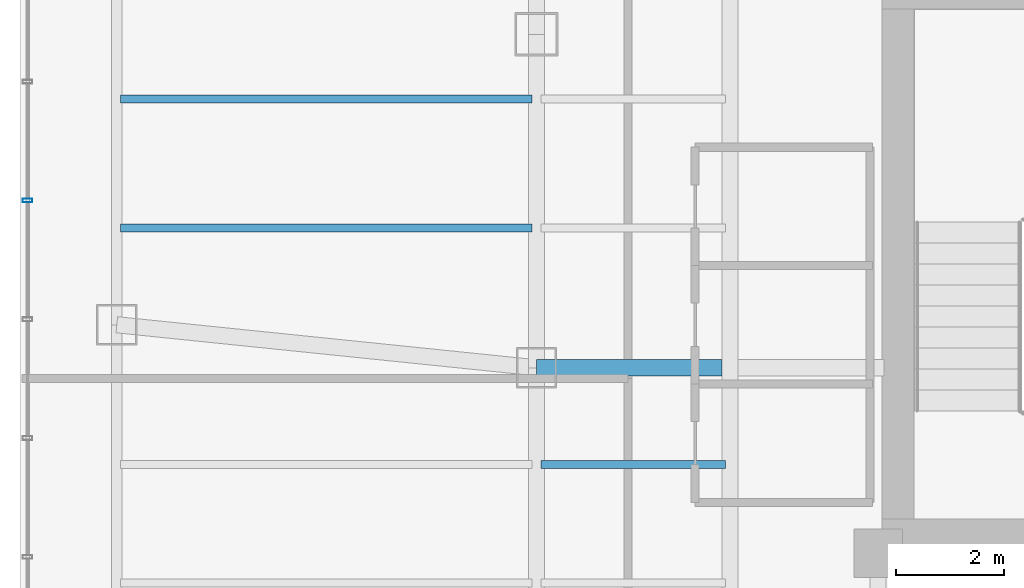
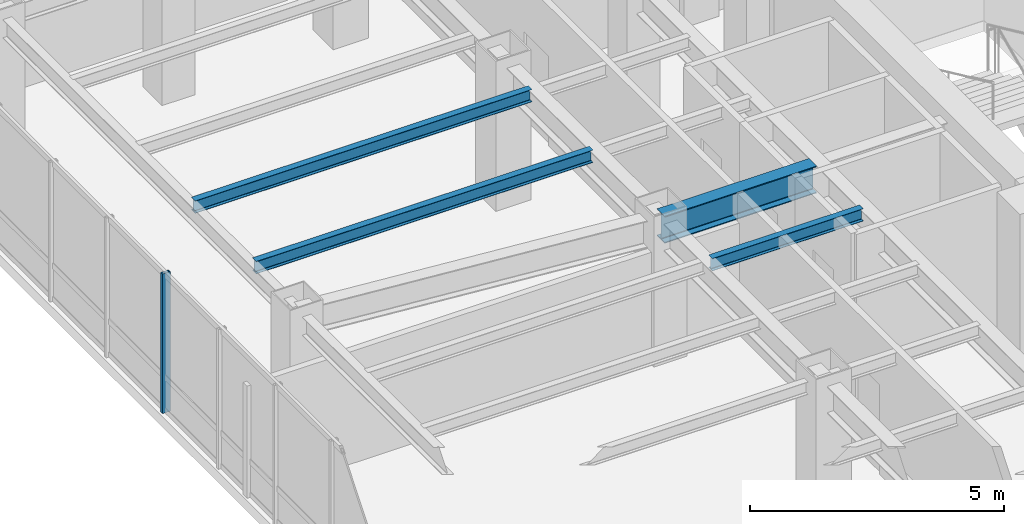
# One storey, part 8 of 27: 4 beams, 1 member, 1 element without a shape of its own.
"""IFC4 building model written with IfcOpenShell, lengths in metres."""

from ifc_helpers import new_model, si_unit, direction, frame, origin, origin_2d, place, context, subcontext, project, spatial, hollow_rectangle, i_section, extrude, material, layer, layer_set, material_profile, profile_set, type_object, element, aggregate, save


model = new_model("IFC4")

# Units and contexts
model_context = context("Model", 3, precision=1e-05, world=origin(), true_north=direction((0.0, 1.0)))
body_context = subcontext(model_context, "Body", "Model", "MODEL_VIEW")
ifc_project = project(units=[si_unit("LENGTHUNIT", "METRE"), si_unit("AREAUNIT", "SQUARE_METRE"), si_unit("VOLUMEUNIT", "CUBIC_METRE"), si_unit("PLANEANGLEUNIT", "RADIAN"), si_unit("MASSUNIT", "GRAM", prefix="KILO")], contexts=[model_context])

# Site, building, storey
site_placement = place(None, origin())
site = spatial("IfcSite", under=ifc_project, at=site_placement, CompositionType="ELEMENT")
building_placement = place(site_placement, origin())
building = spatial("IfcBuilding", under=site, at=building_placement, Name="Hatsunagi Terrace Concourse", CompositionType="ELEMENT")
storey_placement = place(building_placement, frame((0.0, 0.0, 174.449951171875)))
storey = spatial("IfcBuildingStorey", under=building, at=storey_placement, Name="L46", CompositionType="ELEMENT", Elevation=174.449951171875)

# Curtain wall, member
ifc_material_1 = material(Name="Anodised Aluminium Alloy 6063-T5", Category="aluminium")
ifc_layer = layer(ifc_material_1, 0.199951171875)
ifc_layer_set = layer_set([ifc_layer], Name="OfficeZone1_CW03")
curtain_wall_type = type_object("IfcCurtainWallType", Name="OfficeZone1_CW03", PredefinedType="NOTDEFINED", material=ifc_layer_set)
curtain_wall_placement = place(storey_placement, origin())
curtain_wall = element("IfcCurtainWall", 1, at=curtain_wall_placement, inside=storey, type_object=curtain_wall_type, Name="Unitised Curtain Wall CW-03 CW-L46-09", PredefinedType="NOTDEFINED")
ifc_material_2 = material(Name="Anodised Aluminium Alloy 6063-T5", Category="aluminium")
ifc_material_profile_1 = material_profile(ifc_material_2, hollow_rectangle(XDim=0.070068359375, YDim=0.179931640625, WallThickness=0.00390625, at=origin_2d()), Name="ALU-MUL-180x70x4")
ifc_profile_set_1 = profile_set([ifc_material_profile_1], Name="Anodised Aluminium Alloy 6063-T5")
member_type = type_object("IfcMemberType", Name="CurtainWallMullion_180x70", PredefinedType="MULLION", material=ifc_profile_set_1)
member_placement = place(storey_placement, frame((9.739990234375, 39.10791015625, 0.0), z_axis=(0.0, 0.0, 1.0), x_axis=(0.0, 1.0, 0.0)))
member = element("IfcMember", 2, at=member_placement, type_object=member_type, Name="Curtain Wall Mullion MUL-02", PredefinedType="MULLION", context=body_context, shape_type="SweptSolid", body=[
    extrude(hollow_rectangle(XDim=0.070068359375, YDim=0.179931640625, WallThickness=0.00390625, at=origin_2d()), origin(), (0.0, 0.0, 1.0), 3.35009765625),
])
aggregate(curtain_wall, [member])

# Beams
ifc_material_3 = material(Name="Steel SN490B", Category="steel")
ifc_material_profile_2 = material_profile(ifc_material_3, i_section(OverallWidth=0.14990234375, OverallDepth=0.300048828125, WebThickness=0.006591796875, FlangeThickness=0.009033203125, FilletRadius=0.010986328125, at=origin_2d()), Name="H-300x150x6.5x9")
ifc_profile_set_2 = profile_set([ifc_material_profile_2], Name="Steel SN490B")
beam_type_1 = type_object("IfcBeamType", Name="OfficeJoist_H_300x150", PredefinedType="JOIST", material=ifc_profile_set_2)
beam_1_placement = place(storey_placement, frame((19.284912109375, 34.199951171875, 3.199951171875), z_axis=(1.0, 0.0, 0.0), x_axis=(0.0, 1.0, 0.0)))
element("IfcBeam", 3, at=beam_1_placement, inside=storey, type_object=beam_type_1, Name="Beam J-03 J-L46-W-19-342", PredefinedType="JOIST", context=body_context, shape_type="SweptSolid", body=[
    extrude(i_section(OverallWidth=0.14990234375, OverallDepth=0.300048828125, WebThickness=0.006591796875, FlangeThickness=0.009033203125, FilletRadius=0.010986328125, at=origin_2d()), origin(), (0.0, 0.0, 1.0), 3.43017578125),
])
for number, where, z_axis, x_axis, name in (
    (4, (11.465087890625, 38.60009765625, 3.199951171875), (1.0, 0.0, 0.0), (0.0, 1.0, 0.0), "Beam J-03 J-L46-W-11-386"),
    (5, (11.465087890625, 41.0, 3.199951171875), (1.0, 0.0, 0.0), (0.0, 1.0, 0.0), "Beam J-03 J-L46-W-11-410"),
):
    element("IfcBeam", number, at=place(storey_placement, frame(where, z_axis=z_axis, x_axis=x_axis)), inside=storey, type_object=beam_type_1, Name=name, PredefinedType="JOIST", context=body_context, shape_type="SweptSolid", body=[
        extrude(i_section(OverallWidth=0.14990234375, OverallDepth=0.300048828125, WebThickness=0.006591796875, FlangeThickness=0.009033203125, FilletRadius=0.010986328125, at=origin_2d()), origin(), (0.0, 0.0, 1.0), 7.64990234375),
    ])
ifc_material_4 = material(Name="Steel SN490B", Category="steel")
ifc_material_profile_3 = material_profile(ifc_material_4, i_section(OverallWidth=0.300048828125, OverallDepth=0.64990234375, WebThickness=0.012939453125, FlangeThickness=0.02197265625, FilletRadius=0.01806640625, at=origin_2d()), Name="H-650x300x13x22")
ifc_profile_set_3 = profile_set([ifc_material_profile_3], Name="Steel SN490B")
beam_type_2 = type_object("IfcBeamType", Name="OfficeLowGirder_H_650x300", PredefinedType="BEAM", material=ifc_profile_set_3)
beam_2_placement = place(storey_placement, frame((19.199951171875, 36.0, 3.025146484375), z_axis=(1.0, 0.0, 0.0), x_axis=(0.0, 1.0, 0.0)))
element("IfcBeam", 6, at=beam_2_placement, inside=storey, type_object=beam_type_2, Name="Beam G-05 BM-L46-EW-3", PredefinedType="BEAM", context=body_context, shape_type="SweptSolid", body=[
    extrude(i_section(OverallWidth=0.300048828125, OverallDepth=0.64990234375, WebThickness=0.012939453125, FlangeThickness=0.02197265625, FilletRadius=0.01806640625, at=origin_2d()), origin(), (0.0, 0.0, 1.0), 3.449951171875),
])

save(model, "model.ifc")
